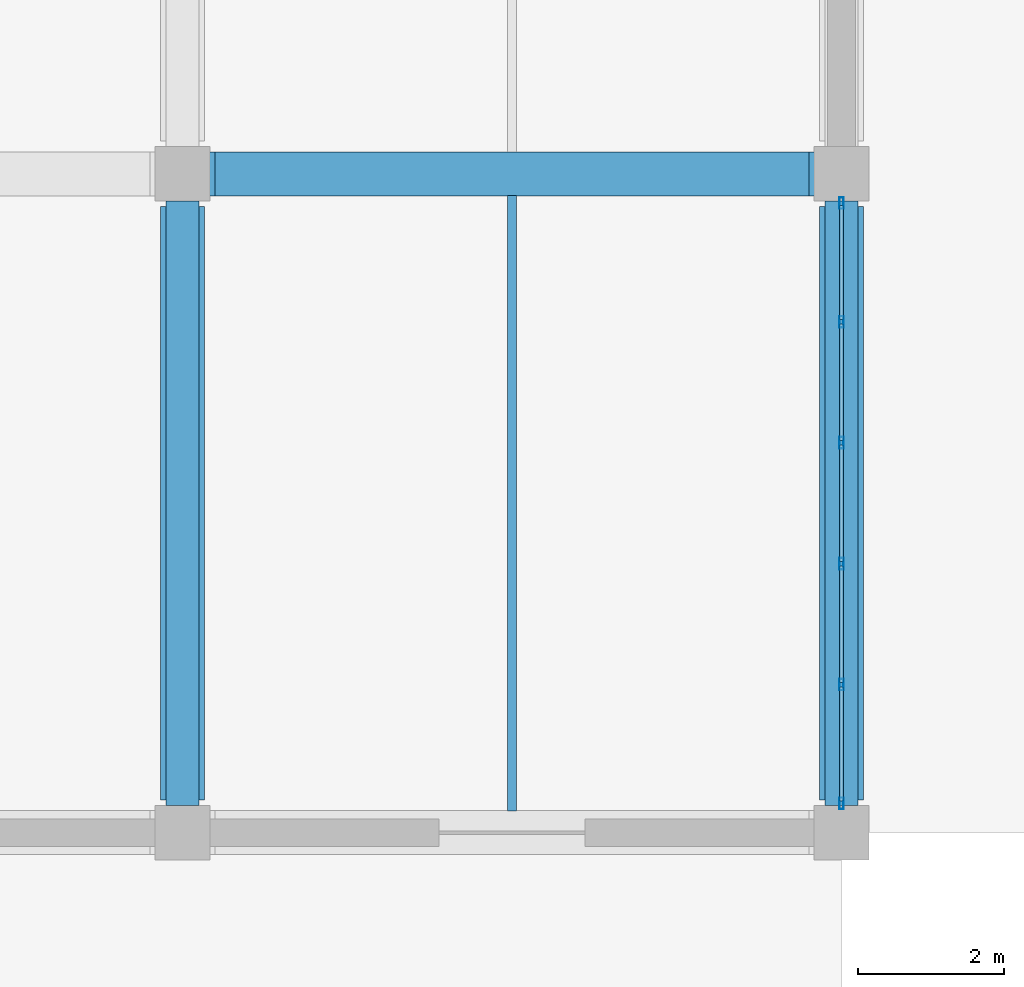
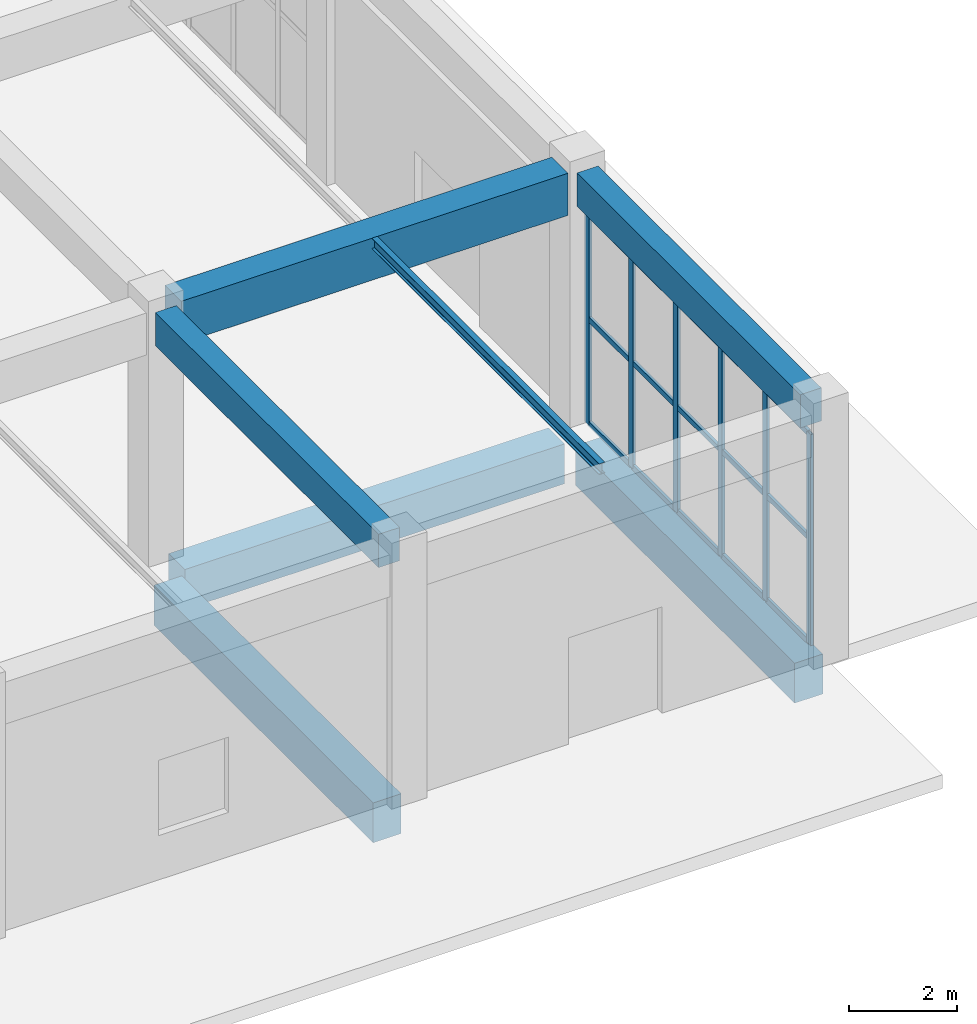
# One storey, part 12 of 91: 21 members, 7 beams, 1 element without a shape of its own.
"""IFC4 building model written with IfcOpenShell, lengths in metres."""

import ifcopenshell
import ifcopenshell.guid

model = None  # the IFC model being written
_history = None  # IfcOwnerHistory: only IFC2X3 demands one
_inside = {}  # id of a spatial element -> (the spatial element, [elements in it])
_under = {}  # id of a project, library or spatial element -> (it, [spatial elements below it])
_declared = {}  # id of a project -> (the project, [libraries it declares])
_typed = {}  # id of a type object -> (the type object, [elements of that type])
_made_of = {}  # id of a material, layer set ... -> (it, [elements and type objects made of it])


def new_model(schema):
    """Start an empty IFC model of exactly this schema.

    Asked for "IFC4X3", IfcOpenShell would pick the latest addendum, in which some entities
    have other attributes; the version numbers below select the first issue.
    IFC2X3 requires an IfcOwnerHistory on every rooted entity: one is made here for all.
    """
    global model, _history
    if schema == "IFC4X3":
        model = ifcopenshell.file(schema_version=(4, 3, 0, 0))
    else:
        model = ifcopenshell.file(schema=schema)
    _inside.clear()
    _under.clear()
    _declared.clear()
    _typed.clear()
    _made_of.clear()
    _history = None
    if model.schema == "IFC2X3":
        org = make("IfcOrganization", Name="unknown")
        user = make(
            "IfcPersonAndOrganization",
            ThePerson=make("IfcPerson", FamilyName="unknown"),
            TheOrganization=org,
        )
        app = make(
            "IfcApplication",
            ApplicationDeveloper=org,
            Version="unknown",
            ApplicationFullName="unknown",
            ApplicationIdentifier="unknown",
        )
        _history = make(
            "IfcOwnerHistory",
            OwningUser=user,
            OwningApplication=app,
            ChangeAction="ADDED",
            CreationDate=0,
        )
    return model


def make(cls, **values):
    """One entity of the class cls with the attributes given. An attribute that is None is left unset."""
    return model.create_entity(
        cls, **{name: value for name, value in values.items() if value is not None}
    )


def rooted(cls, **values):
    """An entity with a GlobalId (a new one), such as an element, a storey or a relation."""
    return make(cls, GlobalId=ifcopenshell.guid.new(), OwnerHistory=_history, **values)


def si_unit(unit_type, name, prefix=None):
    """IfcSIUnit, for example si_unit("LENGTHUNIT", "METRE", prefix="MILLI")."""
    return make("IfcSIUnit", UnitType=unit_type, Prefix=prefix, Name=name)


def assignment(units):
    """IfcUnitAssignment: the units of a project."""
    return None if units is None else make("IfcUnitAssignment", Units=units)


def point(xyz):
    """IfcCartesianPoint."""
    return None if xyz is None else make("IfcCartesianPoint", Coordinates=xyz)


def direction(xyz):
    """IfcDirection."""
    return None if xyz is None else make("IfcDirection", DirectionRatios=xyz)


def frame(location, z_axis=None, x_axis=None):
    """IfcAxis2Placement3D, a coordinate frame: its origin and axes. An axis left out is left unset."""
    return make(
        "IfcAxis2Placement3D",
        Location=point(location),
        Axis=direction(z_axis),
        RefDirection=direction(x_axis),
    )


def frame_2d(location, x_axis=None):
    """IfcAxis2Placement2D, a coordinate frame in the plane: its origin and x axis."""
    return make(
        "IfcAxis2Placement2D", Location=point(location), RefDirection=direction(x_axis)
    )


def origin():
    """The frame at (0, 0, 0) with its axes left unset."""
    return frame((0.0, 0.0, 0.0))


def origin_2d():
    """The frame at (0, 0) in the plane with its x axis left unset."""
    return frame_2d((0.0, 0.0))


def place(relative_to, where):
    """IfcLocalPlacement: puts the frame where relative to a parent placement (None: the world)."""
    return make(
        "IfcLocalPlacement", PlacementRelTo=relative_to, RelativePlacement=where
    )


def context(
    kind, dimensions, precision=None, world=None, true_north=None, identifier=None
):
    """IfcGeometricRepresentationContext, for example the 3D "Model" context."""
    return make(
        "IfcGeometricRepresentationContext",
        ContextIdentifier=identifier,
        ContextType=kind,
        CoordinateSpaceDimension=dimensions,
        Precision=precision,
        WorldCoordinateSystem=world,
        TrueNorth=true_north,
    )


def subcontext(parent, identifier, kind, view, scale=None):
    """IfcGeometricRepresentationSubContext, for example "Body" below "Model"."""
    return make(
        "IfcGeometricRepresentationSubContext",
        ContextIdentifier=identifier,
        ContextType=kind,
        ParentContext=parent,
        TargetScale=scale,
        TargetView=view,
    )


def project(units=None, contexts=None):
    """IfcProject with its units and contexts."""
    return rooted(
        "IfcProject",
        Name="project",
        RepresentationContexts=contexts,
        UnitsInContext=assignment(units),
    )


def spatial(cls, under=None, at=None, **own):
    """A site, building, storey or space (cls), placed at a placement, below another one or the project."""
    s = rooted(cls, ObjectPlacement=at, **own)
    if under is not None:
        _under.setdefault(under.id(), (under, []))[1].append(s)
    return s


def profile(cls, at=None, kind="AREA", **sizes):
    """A parametric profile (cls). Its sizes go by their IFC names, for example OverallWidth=200.0."""
    return make(cls, ProfileType=kind, Position=at, **sizes)


def rectangle(**sizes):
    """IfcRectangleProfileDef."""
    return profile("IfcRectangleProfileDef", **sizes)


def hollow_rectangle(**sizes):
    """IfcRectangleHollowProfileDef."""
    return profile("IfcRectangleHollowProfileDef", **sizes)


def i_section(**sizes):
    """IfcIShapeProfileDef."""
    return profile("IfcIShapeProfileDef", **sizes)


def extrude(swept, where, along, depth):
    """IfcExtrudedAreaSolid: the profile swept, set in the frame where, extruded along a direction by depth."""
    return make(
        "IfcExtrudedAreaSolid",
        SweptArea=swept,
        Position=where,
        ExtrudedDirection=direction(along),
        Depth=depth,
    )


def shape(context_of_items, identifier, shape_type, items):
    """IfcShapeRepresentation: the items that make up one representation, for example the "Body"."""
    return make(
        "IfcShapeRepresentation",
        ContextOfItems=context_of_items,
        RepresentationIdentifier=identifier,
        RepresentationType=shape_type,
        Items=items,
    )


def material(Name=None, Category=None):
    """IfcMaterial."""
    return make("IfcMaterial", Name=Name, Category=Category)


def layer(
    of_material, thickness, ventilated=None, Name=None, Category=None, Priority=None
):
    """IfcMaterialLayer: one layer of a wall or slab, of a material (None: an air gap)."""
    return make(
        "IfcMaterialLayer",
        Material=of_material,
        LayerThickness=thickness,
        IsVentilated=ventilated,
        Name=Name,
        Category=Category,
        Priority=Priority,
    )


def layer_set(layers, Name=None):
    """IfcMaterialLayerSet."""
    return make("IfcMaterialLayerSet", MaterialLayers=layers, LayerSetName=Name)


def material_profile(
    of_material, cross_section, Name=None, Category=None, Priority=None
):
    """IfcMaterialProfile: a cross section and its material."""
    return make(
        "IfcMaterialProfile",
        Name=Name,
        Material=of_material,
        Profile=cross_section,
        Priority=Priority,
        Category=Category,
    )


def profile_set(profiles, Name=None, composite=None):
    """IfcMaterialProfileSet."""
    return make(
        "IfcMaterialProfileSet",
        Name=Name,
        MaterialProfiles=profiles,
        CompositeProfile=composite,
    )


def made_of(thing, what):
    """Note that an element or type object is made of a material, layer set ...; save() writes the relation."""
    if what is not None:
        _made_of.setdefault(what.id(), (what, []))[1].append(thing)
    return thing


def type_object(cls, material=None, **own):
    """A type object (cls), such as IfcWallType, which elements share."""
    return made_of(rooted(cls, **own), material)


def element(
    cls,
    number,
    at=None,
    inside=None,
    cuts=None,
    type_object=None,
    material=None,
    context=None,
    identifier="Body",
    shape_type=None,
    held_by="IfcProductDefinitionShape",
    body=None,
    shapes=None,
    **own,
):
    """One element of the class cls, such as IfcWall. Its Tag is "e" and its number.

    at: its placement. inside: the storey or other place that contains it. cuts: it is an
    opening in that element (IfcRelVoidsElement). A single representation is given by context,
    identifier, shape_type and body (its items); several are given by shapes. held_by: the class
    of the entity that holds the representations. save() writes the other relations.
    """
    e = rooted(cls, Tag="e%d" % number, ObjectPlacement=at, **own)
    if body is not None:
        shapes = [shape(context, identifier, shape_type, body)]
    if shapes is not None:
        e.Representation = make(held_by, Representations=shapes)
    if inside is not None:
        _inside.setdefault(inside.id(), (inside, []))[1].append(e)
    if cuts is not None:
        rooted(
            "IfcRelVoidsElement", RelatingBuildingElement=cuts, RelatedOpeningElement=e
        )
    if type_object is not None:
        _typed.setdefault(type_object.id(), (type_object, []))[1].append(e)
    return made_of(e, material)


def aggregate(whole, parts):
    """IfcRelAggregates: a whole, such as a stair, and the parts it consists of."""
    return rooted("IfcRelAggregates", RelatingObject=whole, RelatedObjects=parts)


def save(model, path):
    """Write the relations noted so far, then the file.

    IfcRelAggregates (storeys below a building ...), IfcRelContainedInSpatialStructure (elements
    in a storey), IfcRelDefinesByType, IfcRelAssociatesMaterial and IfcRelDeclares: one each for
    every whole, place, type object, material and project.
    """
    for whole, parts in _under.values():
        aggregate(whole, parts)
    for where, things in _inside.values():
        rooted(
            "IfcRelContainedInSpatialStructure",
            RelatedElements=things,
            RelatingStructure=where,
        )
    for kind, things in _typed.values():
        rooted("IfcRelDefinesByType", RelatedObjects=things, RelatingType=kind)
    for what, things in _made_of.values():
        rooted("IfcRelAssociatesMaterial", RelatedObjects=things, RelatingMaterial=what)
    for by, libraries in _declared.values():
        rooted("IfcRelDeclares", RelatingContext=by, RelatedDefinitions=libraries)
    model.write(path)


model = new_model("IFC4")

# Units and contexts
model_context = context("Model", 3, precision=1e-05, world=origin(), true_north=direction((0.0, 1.0)))
body_context = subcontext(model_context, "Body", "Model", "MODEL_VIEW")
ifc_project = project(units=[si_unit("LENGTHUNIT", "METRE"), si_unit("AREAUNIT", "SQUARE_METRE"), si_unit("VOLUMEUNIT", "CUBIC_METRE"), si_unit("PLANEANGLEUNIT", "RADIAN"), si_unit("MASSUNIT", "GRAM", prefix="KILO")], contexts=[model_context])

# Site, building, storey
site_placement = place(None, origin())
site = spatial("IfcSite", under=ifc_project, at=site_placement, CompositionType="ELEMENT")
building_placement = place(site_placement, origin())
building = spatial("IfcBuilding", under=site, at=building_placement, Name="Dornveld Trade and Exhibition Forum", CompositionType="ELEMENT")
storey_placement = place(building_placement, origin())
storey = spatial("IfcBuildingStorey", under=building, at=storey_placement, Name="L00", CompositionType="ELEMENT", Elevation=0.0)

# Beams
ifc_material_1 = material(Name="Concrete C40/50", Category="concrete")
ifc_material_profile_1 = material_profile(ifc_material_1, rectangle(XDim=0.60009765625, YDim=0.89990234375, at=origin_2d()), Name="RC-GB 600x900")
ifc_profile_set_1 = profile_set([ifc_material_profile_1], Name="Concrete C40/50")
beam_type_1 = type_object("IfcBeamType", Name="BM-GB-600x900", PredefinedType="BEAM", material=ifc_profile_set_1)
for number, where, z_axis, x_axis, name in (
    (1, (225.446044921875, 9.0, -0.830078125), (1.0, 0.0, 0.0), (0.0, 1.0, 0.0), "L00 X-girder 584"),
    (2, (225.0, 0.446044921875, -0.830078125), (0.0, 1.0, 0.0), (-1.0, 0.0, 0.0), "L00 Y-girder 643"),
    (3, (234.0, 0.446044921875, -0.830078125), (0.0, 1.0, 0.0), (-1.0, 0.0, 0.0), "L00 Y-girder 647"),
):
    element("IfcBeam", number, at=place(storey_placement, frame(where, z_axis=z_axis, x_axis=x_axis)), inside=storey, type_object=beam_type_1, Name=name, PredefinedType="BEAM", context=body_context, shape_type="SweptSolid", body=[
        extrude(rectangle(XDim=0.60009765625, YDim=0.89990234375, at=origin_2d()), origin(), (0.0, 0.0, 1.0), 8.10791015625),
    ])
ifc_material_2 = material(Name="Steel S355J2", Category="steel")
ifc_material_profile_2 = material_profile(ifc_material_2, i_section(OverallWidth=0.1201171875, OverallDepth=0.239990234375, WebThickness=0.006103515625, FlangeThickness=0.009765625, FilletRadius=0.014892578125, at=origin_2d()), Name="IPE 240")
ifc_profile_set_2 = profile_set([ifc_material_profile_2], Name="Steel S355J2")
beam_type_2 = type_object("IfcBeamType", Name="BM-JOIST-240", PredefinedType="JOIST", material=ifc_profile_set_2)
beam_1_placement = place(storey_placement, frame((229.5, 0.297119140625, 5.580078125), z_axis=(0.0, 1.0, 0.0), x_axis=(-1.0, 0.0, 0.0)))
element("IfcBeam", 4, at=beam_1_placement, inside=storey, type_object=beam_type_2, Name="L00 secondary joist 949", PredefinedType="JOIST", context=body_context, shape_type="SweptSolid", body=[
    extrude(i_section(OverallWidth=0.1201171875, OverallDepth=0.239990234375, WebThickness=0.006103515625, FlangeThickness=0.009765625, FilletRadius=0.014892578125, at=origin_2d()), origin(), (0.0, 0.0, 1.0), 8.40576171875),
])
ifc_material_3 = material(Name="Precast concrete C50/60", Category="concrete")
ifc_material_profile_3 = material_profile(ifc_material_3, rectangle(XDim=0.449951171875, YDim=0.75, at=origin_2d()), Name="PC-BM 450x750")
ifc_profile_set_3 = profile_set([ifc_material_profile_3], Name="Precast concrete C50/60")
beam_type_3 = type_object("IfcBeamType", Name="BM-PC-450x750", PredefinedType="BEAM", material=ifc_profile_set_3)
for number, where, z_axis, x_axis, name in (
    (5, (225.0, 0.37109375, 5.324951171875), (0.0, 1.0, 0.0), (-1.0, 0.0, 0.0), "L00 Y-girder 922"),
    (6, (234.0, 0.37109375, 5.324951171875), (0.0, 1.0, 0.0), (-1.0, 0.0, 0.0), "L00 Y-girder 928"),
):
    element("IfcBeam", number, at=place(storey_placement, frame(where, z_axis=z_axis, x_axis=x_axis)), inside=storey, type_object=beam_type_3, Name=name, PredefinedType="BEAM", context=body_context, shape_type="SweptSolid", body=[
        extrude(rectangle(XDim=0.449951171875, YDim=0.75, at=origin_2d()), origin(), (0.0, 0.0, 1.0), 8.2578125),
    ])
ifc_material_4 = material(Name="Precast concrete C50/60", Category="concrete")
ifc_material_profile_4 = material_profile(ifc_material_4, rectangle(XDim=0.60009765625, YDim=0.949951171875, at=origin_2d()), Name="PC-GIR 600x950")
ifc_profile_set_4 = profile_set([ifc_material_profile_4], Name="Precast concrete C50/60")
beam_type_4 = type_object("IfcBeamType", Name="BM-PC-600x950", PredefinedType="T_BEAM", material=ifc_profile_set_4)
beam_2_placement = place(storey_placement, frame((225.37109375, 9.0, 5.22509765625), z_axis=(1.0, 0.0, 0.0), x_axis=(0.0, 1.0, 0.0)))
element("IfcBeam", 7, at=beam_2_placement, inside=storey, type_object=beam_type_4, Name="L00 X-girder 885", PredefinedType="T_BEAM", context=body_context, shape_type="SweptSolid", body=[
    extrude(rectangle(XDim=0.60009765625, YDim=0.949951171875, at=origin_2d()), origin(), (0.0, 0.0, 1.0), 8.2578125),
])

# Curtain wall, members
ifc_material_5 = material(Name="Dark-bronze anodised aluminium and low-E glass", Category="aluminium")
ifc_layer = layer(ifc_material_5, 0.177978515625)
ifc_layer_set = layer_set([ifc_layer], Name="Dark-bronze anodised aluminium and low-E glass")
curtain_wall_type = type_object("IfcCurtainWallType", Name="CW-SYS-12", PredefinedType="USERDEFINED", material=ifc_layer_set)
curtain_wall_placement = place(storey_placement, origin())
curtain_wall = element("IfcCurtainWall", 8, at=curtain_wall_placement, inside=storey, type_object=curtain_wall_type, Name="L00 unitised curtain wall 66", ObjectType="UNITISED_CURTAIN_WALL", PredefinedType="USERDEFINED")
ifc_material_6 = material(Name="Dark-bronze anodised aluminium", Category="aluminium")
ifc_material_profile_5 = material_profile(ifc_material_6, hollow_rectangle(XDim=0.06005859375, YDim=0.159912109375, WallThickness=0.00390625, at=origin_2d()), Name="RHS 160x60x4")
ifc_profile_set_5 = profile_set([ifc_material_profile_5], Name="Dark-bronze anodised aluminium")
member_type_1 = type_object("IfcMemberType", Name="CW-MUL-160", PredefinedType="MULLION", material=ifc_profile_set_5)
member_1_placement = place(storey_placement, frame((234.0, 0.40087890625, -0.00390625), z_axis=(0.0, 0.0, 1.0), x_axis=(-1.0, 0.0, 0.0)))
member_1 = element("IfcMember", 9, at=member_1_placement, type_object=member_type_1, Name="CW-12 mullion 1", PredefinedType="MULLION", context=body_context, shape_type="SweptSolid", body=[
    extrude(hollow_rectangle(XDim=0.06005859375, YDim=0.159912109375, WallThickness=0.00390625, at=origin_2d()), origin(), (0.0, 0.0, 1.0), 4.763916015625),
])
member_2_placement = place(storey_placement, frame((234.0, 2.022705078125, -0.00390625), z_axis=(0.0, 0.0, 1.0), x_axis=(-1.0, 0.0, 0.0)))
member_2 = element("IfcMember", 10, at=member_2_placement, type_object=member_type_1, Name="CW-12 mullion 2", PredefinedType="MULLION", context=body_context, shape_type="SweptSolid", body=[
    extrude(hollow_rectangle(XDim=0.06005859375, YDim=0.159912109375, WallThickness=0.00390625, at=origin_2d()), origin(), (0.0, 0.0, 1.0), 4.763916015625),
])
member_3_placement = place(storey_placement, frame((234.0, 3.67431640625, -0.00390625), z_axis=(0.0, 0.0, 1.0), x_axis=(-1.0, 0.0, 0.0)))
member_3 = element("IfcMember", 11, at=member_3_placement, type_object=member_type_1, Name="CW-12 mullion 3", PredefinedType="MULLION", context=body_context, shape_type="SweptSolid", body=[
    extrude(hollow_rectangle(XDim=0.06005859375, YDim=0.159912109375, WallThickness=0.00390625, at=origin_2d()), origin(), (0.0, 0.0, 1.0), 4.763916015625),
])
member_4_placement = place(storey_placement, frame((234.0, 5.32568359375, -0.00390625), z_axis=(0.0, 0.0, 1.0), x_axis=(-1.0, 0.0, 0.0)))
member_4 = element("IfcMember", 12, at=member_4_placement, type_object=member_type_1, Name="CW-12 mullion 4", PredefinedType="MULLION", context=body_context, shape_type="SweptSolid", body=[
    extrude(hollow_rectangle(XDim=0.06005859375, YDim=0.159912109375, WallThickness=0.00390625, at=origin_2d()), origin(), (0.0, 0.0, 1.0), 4.763916015625),
])
member_5_placement = place(storey_placement, frame((234.0, 6.977294921875, -0.00390625), z_axis=(0.0, 0.0, 1.0), x_axis=(-1.0, 0.0, 0.0)))
member_5 = element("IfcMember", 13, at=member_5_placement, type_object=member_type_1, Name="CW-12 mullion 5", PredefinedType="MULLION", context=body_context, shape_type="SweptSolid", body=[
    extrude(hollow_rectangle(XDim=0.06005859375, YDim=0.159912109375, WallThickness=0.00390625, at=origin_2d()), origin(), (0.0, 0.0, 1.0), 4.763916015625),
])
member_6_placement = place(storey_placement, frame((234.0, 8.59912109375, -0.00390625), z_axis=(0.0, 0.0, 1.0), x_axis=(-1.0, 0.0, 0.0)))
member_6 = element("IfcMember", 14, at=member_6_placement, type_object=member_type_1, Name="CW-12 mullion 6", PredefinedType="MULLION", context=body_context, shape_type="SweptSolid", body=[
    extrude(hollow_rectangle(XDim=0.06005859375, YDim=0.159912109375, WallThickness=0.00390625, at=origin_2d()), origin(), (0.0, 0.0, 1.0), 4.763916015625),
])
ifc_material_7 = material(Name="Dark-bronze anodised aluminium", Category="aluminium")
ifc_material_profile_6 = material_profile(ifc_material_7, hollow_rectangle(XDim=0.06005859375, YDim=0.1201171875, WallThickness=0.00390625, at=origin_2d()), Name="RHS 120x60x4")
ifc_profile_set_6 = profile_set([ifc_material_profile_6], Name="Dark-bronze anodised aluminium")
member_type_2 = type_object("IfcMemberType", Name="CW-TRN-120", PredefinedType="USERDEFINED", material=ifc_profile_set_6)
member_7_placement = place(storey_placement, frame((234.0, 0.430908203125, 0.02587890625), z_axis=(0.0, 1.0, 0.0), x_axis=(-1.0, 0.0, 0.0)))
member_7 = element("IfcMember", 15, at=member_7_placement, type_object=member_type_2, Name="CW-12 transom 1.1", ObjectType="TRANSOM", PredefinedType="USERDEFINED", context=body_context, shape_type="SweptSolid", body=[
    extrude(hollow_rectangle(XDim=0.06005859375, YDim=0.1201171875, WallThickness=0.00390625, at=origin_2d()), origin(), (0.0, 0.0, 1.0), 1.561767578125),
])
member_8_placement = place(storey_placement, frame((234.0, 0.430908203125, 2.3779296875), z_axis=(0.0, 1.0, 0.0), x_axis=(-1.0, 0.0, 0.0)))
member_8 = element("IfcMember", 16, at=member_8_placement, type_object=member_type_2, Name="CW-12 transom 1.2", ObjectType="TRANSOM", PredefinedType="USERDEFINED", context=body_context, shape_type="SweptSolid", body=[
    extrude(hollow_rectangle(XDim=0.06005859375, YDim=0.1201171875, WallThickness=0.00390625, at=origin_2d()), origin(), (0.0, 0.0, 1.0), 1.561767578125),
])
member_9_placement = place(storey_placement, frame((234.0, 0.430908203125, 4.72998046875), z_axis=(0.0, 1.0, 0.0), x_axis=(-1.0, 0.0, 0.0)))
member_9 = element("IfcMember", 17, at=member_9_placement, type_object=member_type_2, Name="CW-12 transom 1.3", ObjectType="TRANSOM", PredefinedType="USERDEFINED", context=body_context, shape_type="SweptSolid", body=[
    extrude(hollow_rectangle(XDim=0.06005859375, YDim=0.1201171875, WallThickness=0.00390625, at=origin_2d()), origin(), (0.0, 0.0, 1.0), 1.561767578125),
])
member_10_placement = place(storey_placement, frame((234.0, 2.052490234375, 0.02587890625), z_axis=(0.0, 1.0, 0.0), x_axis=(-1.0, 0.0, 0.0)))
member_10 = element("IfcMember", 18, at=member_10_placement, type_object=member_type_2, Name="CW-12 transom 2.1", ObjectType="TRANSOM", PredefinedType="USERDEFINED", context=body_context, shape_type="SweptSolid", body=[
    extrude(hollow_rectangle(XDim=0.06005859375, YDim=0.1201171875, WallThickness=0.00390625, at=origin_2d()), origin(), (0.0, 0.0, 1.0), 1.591796875),
])
member_11_placement = place(storey_placement, frame((234.0, 2.052490234375, 2.3779296875), z_axis=(0.0, 1.0, 0.0), x_axis=(-1.0, 0.0, 0.0)))
member_11 = element("IfcMember", 19, at=member_11_placement, type_object=member_type_2, Name="CW-12 transom 2.2", ObjectType="TRANSOM", PredefinedType="USERDEFINED", context=body_context, shape_type="SweptSolid", body=[
    extrude(hollow_rectangle(XDim=0.06005859375, YDim=0.1201171875, WallThickness=0.00390625, at=origin_2d()), origin(), (0.0, 0.0, 1.0), 1.591796875),
])
member_12_placement = place(storey_placement, frame((234.0, 2.052490234375, 4.72998046875), z_axis=(0.0, 1.0, 0.0), x_axis=(-1.0, 0.0, 0.0)))
member_12 = element("IfcMember", 20, at=member_12_placement, type_object=member_type_2, Name="CW-12 transom 2.3", ObjectType="TRANSOM", PredefinedType="USERDEFINED", context=body_context, shape_type="SweptSolid", body=[
    extrude(hollow_rectangle(XDim=0.06005859375, YDim=0.1201171875, WallThickness=0.00390625, at=origin_2d()), origin(), (0.0, 0.0, 1.0), 1.591796875),
])
member_13_placement = place(storey_placement, frame((234.0, 3.7041015625, 0.02587890625), z_axis=(0.0, 1.0, 0.0), x_axis=(-1.0, 0.0, 0.0)))
member_13 = element("IfcMember", 21, at=member_13_placement, type_object=member_type_2, Name="CW-12 transom 3.1", ObjectType="TRANSOM", PredefinedType="USERDEFINED", context=body_context, shape_type="SweptSolid", body=[
    extrude(hollow_rectangle(XDim=0.06005859375, YDim=0.1201171875, WallThickness=0.00390625, at=origin_2d()), origin(), (0.0, 0.0, 1.0), 1.591796875),
])
member_14_placement = place(storey_placement, frame((234.0, 3.7041015625, 2.3779296875), z_axis=(0.0, 1.0, 0.0), x_axis=(-1.0, 0.0, 0.0)))
member_14 = element("IfcMember", 22, at=member_14_placement, type_object=member_type_2, Name="CW-12 transom 3.2", ObjectType="TRANSOM", PredefinedType="USERDEFINED", context=body_context, shape_type="SweptSolid", body=[
    extrude(hollow_rectangle(XDim=0.06005859375, YDim=0.1201171875, WallThickness=0.00390625, at=origin_2d()), origin(), (0.0, 0.0, 1.0), 1.591796875),
])
member_15_placement = place(storey_placement, frame((234.0, 3.7041015625, 4.72998046875), z_axis=(0.0, 1.0, 0.0), x_axis=(-1.0, 0.0, 0.0)))
member_15 = element("IfcMember", 23, at=member_15_placement, type_object=member_type_2, Name="CW-12 transom 3.3", ObjectType="TRANSOM", PredefinedType="USERDEFINED", context=body_context, shape_type="SweptSolid", body=[
    extrude(hollow_rectangle(XDim=0.06005859375, YDim=0.1201171875, WallThickness=0.00390625, at=origin_2d()), origin(), (0.0, 0.0, 1.0), 1.591796875),
])
member_16_placement = place(storey_placement, frame((234.0, 5.355712890625, 0.02587890625), z_axis=(0.0, 1.0, 0.0), x_axis=(-1.0, 0.0, 0.0)))
member_16 = element("IfcMember", 24, at=member_16_placement, type_object=member_type_2, Name="CW-12 transom 4.1", ObjectType="TRANSOM", PredefinedType="USERDEFINED", context=body_context, shape_type="SweptSolid", body=[
    extrude(hollow_rectangle(XDim=0.06005859375, YDim=0.1201171875, WallThickness=0.00390625, at=origin_2d()), origin(), (0.0, 0.0, 1.0), 1.591796875),
])
member_17_placement = place(storey_placement, frame((234.0, 5.355712890625, 2.3779296875), z_axis=(0.0, 1.0, 0.0), x_axis=(-1.0, 0.0, 0.0)))
member_17 = element("IfcMember", 25, at=member_17_placement, type_object=member_type_2, Name="CW-12 transom 4.2", ObjectType="TRANSOM", PredefinedType="USERDEFINED", context=body_context, shape_type="SweptSolid", body=[
    extrude(hollow_rectangle(XDim=0.06005859375, YDim=0.1201171875, WallThickness=0.00390625, at=origin_2d()), origin(), (0.0, 0.0, 1.0), 1.591796875),
])
member_18_placement = place(storey_placement, frame((234.0, 5.355712890625, 4.72998046875), z_axis=(0.0, 1.0, 0.0), x_axis=(-1.0, 0.0, 0.0)))
member_18 = element("IfcMember", 26, at=member_18_placement, type_object=member_type_2, Name="CW-12 transom 4.3", ObjectType="TRANSOM", PredefinedType="USERDEFINED", context=body_context, shape_type="SweptSolid", body=[
    extrude(hollow_rectangle(XDim=0.06005859375, YDim=0.1201171875, WallThickness=0.00390625, at=origin_2d()), origin(), (0.0, 0.0, 1.0), 1.591796875),
])
member_19_placement = place(storey_placement, frame((234.0, 7.00732421875, 0.02587890625), z_axis=(0.0, 1.0, 0.0), x_axis=(-1.0, 0.0, 0.0)))
member_19 = element("IfcMember", 27, at=member_19_placement, type_object=member_type_2, Name="CW-12 transom 5.1", ObjectType="TRANSOM", PredefinedType="USERDEFINED", context=body_context, shape_type="SweptSolid", body=[
    extrude(hollow_rectangle(XDim=0.06005859375, YDim=0.1201171875, WallThickness=0.00390625, at=origin_2d()), origin(), (0.0, 0.0, 1.0), 1.561767578125),
])
member_20_placement = place(storey_placement, frame((234.0, 7.00732421875, 2.3779296875), z_axis=(0.0, 1.0, 0.0), x_axis=(-1.0, 0.0, 0.0)))
member_20 = element("IfcMember", 28, at=member_20_placement, type_object=member_type_2, Name="CW-12 transom 5.2", ObjectType="TRANSOM", PredefinedType="USERDEFINED", context=body_context, shape_type="SweptSolid", body=[
    extrude(hollow_rectangle(XDim=0.06005859375, YDim=0.1201171875, WallThickness=0.00390625, at=origin_2d()), origin(), (0.0, 0.0, 1.0), 1.561767578125),
])
member_21_placement = place(storey_placement, frame((234.0, 7.00732421875, 4.72998046875), z_axis=(0.0, 1.0, 0.0), x_axis=(-1.0, 0.0, 0.0)))
member_21 = element("IfcMember", 29, at=member_21_placement, type_object=member_type_2, Name="CW-12 transom 5.3", ObjectType="TRANSOM", PredefinedType="USERDEFINED", context=body_context, shape_type="SweptSolid", body=[
    extrude(hollow_rectangle(XDim=0.06005859375, YDim=0.1201171875, WallThickness=0.00390625, at=origin_2d()), origin(), (0.0, 0.0, 1.0), 1.561767578125),
])
aggregate(curtain_wall, [member_1, member_2, member_3, member_4, member_5, member_6, member_7, member_8, member_9, member_10, member_11, member_12, member_13, member_14, member_15, member_16, member_17, member_18, member_19, member_20, member_21])

save(model, "model.ifc")
